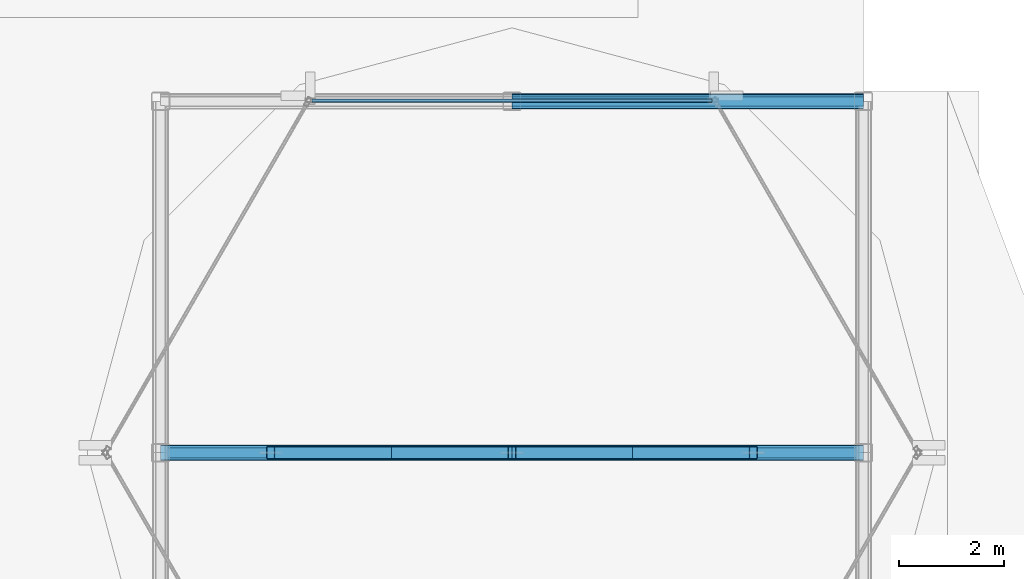
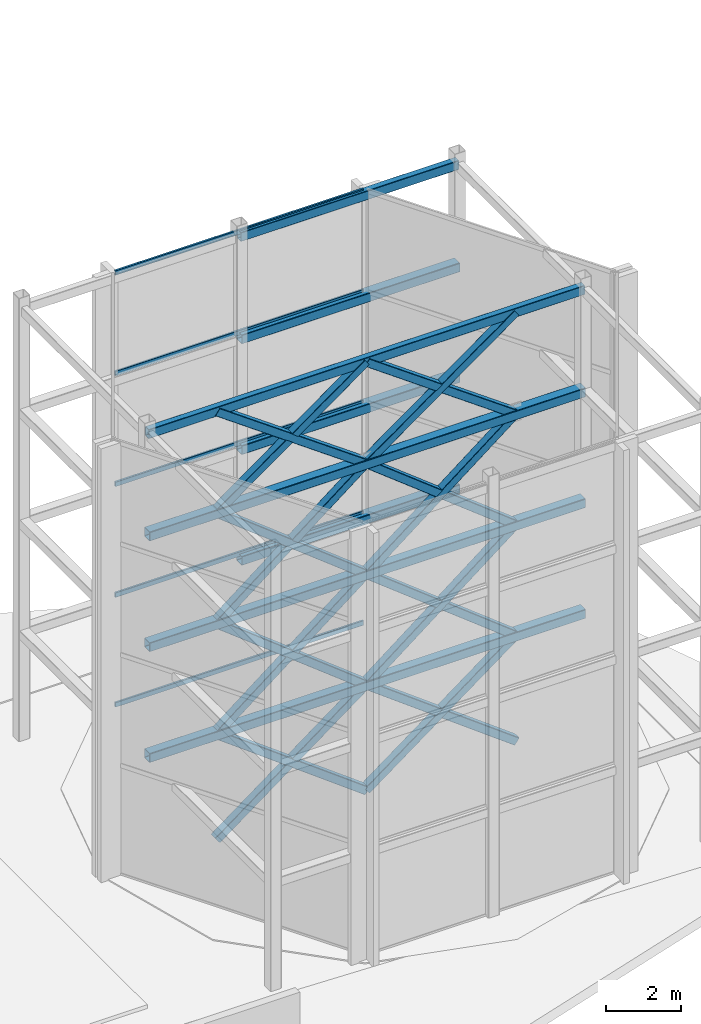
# One storey, part 8 of 24: 21 members, 8 beams, 1 element without a shape of its own.
"""IFC4 building model written with IfcOpenShell, lengths in metres."""

import ifcopenshell
import ifcopenshell.guid

model = None  # the IFC model being written
_history = None  # IfcOwnerHistory: only IFC2X3 demands one
_inside = {}  # id of a spatial element -> (the spatial element, [elements in it])
_under = {}  # id of a project, library or spatial element -> (it, [spatial elements below it])
_declared = {}  # id of a project -> (the project, [libraries it declares])
_typed = {}  # id of a type object -> (the type object, [elements of that type])
_made_of = {}  # id of a material, layer set ... -> (it, [elements and type objects made of it])


def new_model(schema):
    """Start an empty IFC model of exactly this schema.

    Asked for "IFC4X3", IfcOpenShell would pick the latest addendum, in which some entities
    have other attributes; the version numbers below select the first issue.
    IFC2X3 requires an IfcOwnerHistory on every rooted entity: one is made here for all.
    """
    global model, _history
    if schema == "IFC4X3":
        model = ifcopenshell.file(schema_version=(4, 3, 0, 0))
    else:
        model = ifcopenshell.file(schema=schema)
    _inside.clear()
    _under.clear()
    _declared.clear()
    _typed.clear()
    _made_of.clear()
    _history = None
    if model.schema == "IFC2X3":
        org = make("IfcOrganization", Name="unknown")
        user = make(
            "IfcPersonAndOrganization",
            ThePerson=make("IfcPerson", FamilyName="unknown"),
            TheOrganization=org,
        )
        app = make(
            "IfcApplication",
            ApplicationDeveloper=org,
            Version="unknown",
            ApplicationFullName="unknown",
            ApplicationIdentifier="unknown",
        )
        _history = make(
            "IfcOwnerHistory",
            OwningUser=user,
            OwningApplication=app,
            ChangeAction="ADDED",
            CreationDate=0,
        )
    return model


def make(cls, **values):
    """One entity of the class cls with the attributes given. An attribute that is None is left unset."""
    return model.create_entity(
        cls, **{name: value for name, value in values.items() if value is not None}
    )


def rooted(cls, **values):
    """An entity with a GlobalId (a new one), such as an element, a storey or a relation."""
    return make(cls, GlobalId=ifcopenshell.guid.new(), OwnerHistory=_history, **values)


def si_unit(unit_type, name, prefix=None):
    """IfcSIUnit, for example si_unit("LENGTHUNIT", "METRE", prefix="MILLI")."""
    return make("IfcSIUnit", UnitType=unit_type, Prefix=prefix, Name=name)


def assignment(units):
    """IfcUnitAssignment: the units of a project."""
    return None if units is None else make("IfcUnitAssignment", Units=units)


def point(xyz):
    """IfcCartesianPoint."""
    return None if xyz is None else make("IfcCartesianPoint", Coordinates=xyz)


def direction(xyz):
    """IfcDirection."""
    return None if xyz is None else make("IfcDirection", DirectionRatios=xyz)


def frame(location, z_axis=None, x_axis=None):
    """IfcAxis2Placement3D, a coordinate frame: its origin and axes. An axis left out is left unset."""
    return make(
        "IfcAxis2Placement3D",
        Location=point(location),
        Axis=direction(z_axis),
        RefDirection=direction(x_axis),
    )


def frame_2d(location, x_axis=None):
    """IfcAxis2Placement2D, a coordinate frame in the plane: its origin and x axis."""
    return make(
        "IfcAxis2Placement2D", Location=point(location), RefDirection=direction(x_axis)
    )


def origin():
    """The frame at (0, 0, 0) with its axes left unset."""
    return frame((0.0, 0.0, 0.0))


def origin_2d():
    """The frame at (0, 0) in the plane with its x axis left unset."""
    return frame_2d((0.0, 0.0))


def place(relative_to, where):
    """IfcLocalPlacement: puts the frame where relative to a parent placement (None: the world)."""
    return make(
        "IfcLocalPlacement", PlacementRelTo=relative_to, RelativePlacement=where
    )


def context(
    kind, dimensions, precision=None, world=None, true_north=None, identifier=None
):
    """IfcGeometricRepresentationContext, for example the 3D "Model" context."""
    return make(
        "IfcGeometricRepresentationContext",
        ContextIdentifier=identifier,
        ContextType=kind,
        CoordinateSpaceDimension=dimensions,
        Precision=precision,
        WorldCoordinateSystem=world,
        TrueNorth=true_north,
    )


def subcontext(parent, identifier, kind, view, scale=None):
    """IfcGeometricRepresentationSubContext, for example "Body" below "Model"."""
    return make(
        "IfcGeometricRepresentationSubContext",
        ContextIdentifier=identifier,
        ContextType=kind,
        ParentContext=parent,
        TargetScale=scale,
        TargetView=view,
    )


def project(units=None, contexts=None):
    """IfcProject with its units and contexts."""
    return rooted(
        "IfcProject",
        Name="project",
        RepresentationContexts=contexts,
        UnitsInContext=assignment(units),
    )


def spatial(cls, under=None, at=None, **own):
    """A site, building, storey or space (cls), placed at a placement, below another one or the project."""
    s = rooted(cls, ObjectPlacement=at, **own)
    if under is not None:
        _under.setdefault(under.id(), (under, []))[1].append(s)
    return s


def profile(cls, at=None, kind="AREA", **sizes):
    """A parametric profile (cls). Its sizes go by their IFC names, for example OverallWidth=200.0."""
    return make(cls, ProfileType=kind, Position=at, **sizes)


def hollow_rectangle(**sizes):
    """IfcRectangleHollowProfileDef."""
    return profile("IfcRectangleHollowProfileDef", **sizes)


def extrude(swept, where, along, depth):
    """IfcExtrudedAreaSolid: the profile swept, set in the frame where, extruded along a direction by depth."""
    return make(
        "IfcExtrudedAreaSolid",
        SweptArea=swept,
        Position=where,
        ExtrudedDirection=direction(along),
        Depth=depth,
    )


def shape(context_of_items, identifier, shape_type, items):
    """IfcShapeRepresentation: the items that make up one representation, for example the "Body"."""
    return make(
        "IfcShapeRepresentation",
        ContextOfItems=context_of_items,
        RepresentationIdentifier=identifier,
        RepresentationType=shape_type,
        Items=items,
    )


def material(Name=None, Category=None):
    """IfcMaterial."""
    return make("IfcMaterial", Name=Name, Category=Category)


def layer(
    of_material, thickness, ventilated=None, Name=None, Category=None, Priority=None
):
    """IfcMaterialLayer: one layer of a wall or slab, of a material (None: an air gap)."""
    return make(
        "IfcMaterialLayer",
        Material=of_material,
        LayerThickness=thickness,
        IsVentilated=ventilated,
        Name=Name,
        Category=Category,
        Priority=Priority,
    )


def layer_set(layers, Name=None):
    """IfcMaterialLayerSet."""
    return make("IfcMaterialLayerSet", MaterialLayers=layers, LayerSetName=Name)


def material_profile(
    of_material, cross_section, Name=None, Category=None, Priority=None
):
    """IfcMaterialProfile: a cross section and its material."""
    return make(
        "IfcMaterialProfile",
        Name=Name,
        Material=of_material,
        Profile=cross_section,
        Priority=Priority,
        Category=Category,
    )


def profile_set(profiles, Name=None, composite=None):
    """IfcMaterialProfileSet."""
    return make(
        "IfcMaterialProfileSet",
        Name=Name,
        MaterialProfiles=profiles,
        CompositeProfile=composite,
    )


def made_of(thing, what):
    """Note that an element or type object is made of a material, layer set ...; save() writes the relation."""
    if what is not None:
        _made_of.setdefault(what.id(), (what, []))[1].append(thing)
    return thing


def type_object(cls, material=None, **own):
    """A type object (cls), such as IfcWallType, which elements share."""
    return made_of(rooted(cls, **own), material)


def element(
    cls,
    number,
    at=None,
    inside=None,
    cuts=None,
    type_object=None,
    material=None,
    context=None,
    identifier="Body",
    shape_type=None,
    held_by="IfcProductDefinitionShape",
    body=None,
    shapes=None,
    **own,
):
    """One element of the class cls, such as IfcWall. Its Tag is "e" and its number.

    at: its placement. inside: the storey or other place that contains it. cuts: it is an
    opening in that element (IfcRelVoidsElement). A single representation is given by context,
    identifier, shape_type and body (its items); several are given by shapes. held_by: the class
    of the entity that holds the representations. save() writes the other relations.
    """
    e = rooted(cls, Tag="e%d" % number, ObjectPlacement=at, **own)
    if body is not None:
        shapes = [shape(context, identifier, shape_type, body)]
    if shapes is not None:
        e.Representation = make(held_by, Representations=shapes)
    if inside is not None:
        _inside.setdefault(inside.id(), (inside, []))[1].append(e)
    if cuts is not None:
        rooted(
            "IfcRelVoidsElement", RelatingBuildingElement=cuts, RelatedOpeningElement=e
        )
    if type_object is not None:
        _typed.setdefault(type_object.id(), (type_object, []))[1].append(e)
    return made_of(e, material)


def aggregate(whole, parts):
    """IfcRelAggregates: a whole, such as a stair, and the parts it consists of."""
    return rooted("IfcRelAggregates", RelatingObject=whole, RelatedObjects=parts)


def save(model, path):
    """Write the relations noted so far, then the file.

    IfcRelAggregates (storeys below a building ...), IfcRelContainedInSpatialStructure (elements
    in a storey), IfcRelDefinesByType, IfcRelAssociatesMaterial and IfcRelDeclares: one each for
    every whole, place, type object, material and project.
    """
    for whole, parts in _under.values():
        aggregate(whole, parts)
    for where, things in _inside.values():
        rooted(
            "IfcRelContainedInSpatialStructure",
            RelatedElements=things,
            RelatingStructure=where,
        )
    for kind, things in _typed.values():
        rooted("IfcRelDefinesByType", RelatedObjects=things, RelatingType=kind)
    for what, things in _made_of.values():
        rooted("IfcRelAssociatesMaterial", RelatedObjects=things, RelatingMaterial=what)
    for by, libraries in _declared.values():
        rooted("IfcRelDeclares", RelatingContext=by, RelatedDefinitions=libraries)
    model.write(path)


model = new_model("IFC4")

# Units and contexts
model_context = context("Model", 3, precision=1e-05, world=origin(), true_north=direction((0.0, 1.0)))
body_context = subcontext(model_context, "Body", "Model", "MODEL_VIEW")
ifc_project = project(units=[si_unit("LENGTHUNIT", "METRE"), si_unit("AREAUNIT", "SQUARE_METRE"), si_unit("VOLUMEUNIT", "CUBIC_METRE"), si_unit("PLANEANGLEUNIT", "RADIAN"), si_unit("MASSUNIT", "GRAM", prefix="KILO")], contexts=[model_context])

# Site, building, storey
site_placement = place(None, origin())
site = spatial("IfcSite", under=ifc_project, at=site_placement, CompositionType="ELEMENT")
building_placement = place(site_placement, origin())
building = spatial("IfcBuilding", under=site, at=building_placement, Name="Solvaryn Broadcast Tower", CompositionType="ELEMENT")
storey_placement = place(building_placement, frame((0.0, 0.0, 307.800048828125)))
storey = spatial("IfcBuildingStorey", under=building, at=storey_placement, Name="Roof Main", CompositionType="ELEMENT", Elevation=307.800048828125)

# Beams
ifc_material_1 = material(Name="Steel ASTM A500 Grade C", Category="steel")
ifc_material_profile_1 = material_profile(ifc_material_1, hollow_rectangle(XDim=0.199951171875, YDim=0.300048828125, WallThickness=0.011962890625, InnerFilletRadius=0.011962890625, OuterFilletRadius=0.02392578125, at=origin_2d()))
ifc_profile_set_1 = profile_set([ifc_material_profile_1], Name="Steel ASTM A500 Grade C")
beam_type_1 = type_object("IfcBeamType", Name="BM-CROWN-CAP", PredefinedType="BEAM", material=ifc_profile_set_1)
beam_1_placement = place(storey_placement, frame((42.800048828125, 24.60009765625, 13.949951171875), z_axis=(-1.0, 0.0, 0.0), x_axis=(0.0, -1.0, 0.0)))
element("IfcBeam", 1, at=beam_1_placement, inside=storey, type_object=beam_type_1, Name="Roof Main CROWN FRAME Ring Beam ET4-5", PredefinedType="BEAM", context=body_context, shape_type="SweptSolid", body=[
    extrude(hollow_rectangle(XDim=0.199951171875, YDim=0.300048828125, WallThickness=0.011962890625, InnerFilletRadius=0.011962890625, OuterFilletRadius=0.02392578125, at=origin_2d()), origin(), (0.0, 0.0, 1.0), 6.699951171875),
])
beam_2_placement = place(storey_placement, frame((29.39990234375, 17.89990234375, 13.949951171875), z_axis=(1.0, 0.0, 0.0), x_axis=(0.0, 1.0, 0.0)))
element("IfcBeam", 2, at=beam_2_placement, inside=storey, type_object=beam_type_1, Name="Roof Main CROWN FRAME Ring Beam ET4-9", PredefinedType="BEAM", context=body_context, shape_type="SweptSolid", body=[
    extrude(hollow_rectangle(XDim=0.199951171875, YDim=0.300048828125, WallThickness=0.011962890625, InnerFilletRadius=0.011962890625, OuterFilletRadius=0.02392578125, at=origin_2d()), origin(), (0.0, 0.0, 1.0), 13.400146484375),
])
ifc_material_2 = material(Name="Steel ASTM A500 Grade C", Category="steel")
ifc_material_profile_2 = material_profile(ifc_material_2, hollow_rectangle(XDim=0.300048828125, YDim=0.300048828125, WallThickness=0.01416015625, InnerFilletRadius=0.01416015625, OuterFilletRadius=0.0283203125, at=origin_2d()))
ifc_profile_set_2 = profile_set([ifc_material_profile_2], Name="Steel ASTM A500 Grade C")
beam_type_2 = type_object("IfcBeamType", Name="BM-CROWN-RING", PredefinedType="BEAM", material=ifc_profile_set_2)
beam_3_placement = place(storey_placement, frame((42.800048828125, 24.60009765625, 3.449951171875), z_axis=(-1.0, 0.0, 0.0), x_axis=(0.0, -1.0, 0.0)))
element("IfcBeam", 3, at=beam_3_placement, inside=storey, type_object=beam_type_2, Name="Roof Main CROWN FRAME Ring Beam ET1-5", PredefinedType="BEAM", context=body_context, shape_type="SweptSolid", body=[
    extrude(hollow_rectangle(XDim=0.300048828125, YDim=0.300048828125, WallThickness=0.01416015625, InnerFilletRadius=0.01416015625, OuterFilletRadius=0.0283203125, at=origin_2d()), origin(), (0.0, 0.0, 1.0), 6.699951171875),
])
beam_4_placement = place(storey_placement, frame((29.39990234375, 17.89990234375, 3.449951171875), z_axis=(1.0, 0.0, 0.0), x_axis=(0.0, 1.0, 0.0)))
element("IfcBeam", 4, at=beam_4_placement, inside=storey, type_object=beam_type_2, Name="Roof Main CROWN FRAME Ring Beam ET1-9", PredefinedType="BEAM", context=body_context, shape_type="SweptSolid", body=[
    extrude(hollow_rectangle(XDim=0.300048828125, YDim=0.300048828125, WallThickness=0.01416015625, InnerFilletRadius=0.01416015625, OuterFilletRadius=0.0283203125, at=origin_2d()), origin(), (0.0, 0.0, 1.0), 13.400146484375),
])
beam_5_placement = place(storey_placement, frame((42.800048828125, 24.60009765625, 7.050048828125), z_axis=(-1.0, 0.0, 0.0), x_axis=(0.0, -1.0, 0.0)))
element("IfcBeam", 5, at=beam_5_placement, inside=storey, type_object=beam_type_2, Name="Roof Main CROWN FRAME Ring Beam ET2-5", PredefinedType="BEAM", context=body_context, shape_type="SweptSolid", body=[
    extrude(hollow_rectangle(XDim=0.300048828125, YDim=0.300048828125, WallThickness=0.01416015625, InnerFilletRadius=0.01416015625, OuterFilletRadius=0.0283203125, at=origin_2d()), origin(), (0.0, 0.0, 1.0), 6.699951171875),
])
beam_6_placement = place(storey_placement, frame((29.39990234375, 17.89990234375, 7.050048828125), z_axis=(1.0, 0.0, 0.0), x_axis=(0.0, 1.0, 0.0)))
element("IfcBeam", 6, at=beam_6_placement, inside=storey, type_object=beam_type_2, Name="Roof Main CROWN FRAME Ring Beam ET2-9", PredefinedType="BEAM", context=body_context, shape_type="SweptSolid", body=[
    extrude(hollow_rectangle(XDim=0.300048828125, YDim=0.300048828125, WallThickness=0.01416015625, InnerFilletRadius=0.01416015625, OuterFilletRadius=0.0283203125, at=origin_2d()), origin(), (0.0, 0.0, 1.0), 13.400146484375),
])
beam_7_placement = place(storey_placement, frame((42.800048828125, 24.60009765625, 10.64990234375), z_axis=(-1.0, 0.0, 0.0), x_axis=(0.0, -1.0, 0.0)))
element("IfcBeam", 7, at=beam_7_placement, inside=storey, type_object=beam_type_2, Name="Roof Main CROWN FRAME Ring Beam ET3-5", PredefinedType="BEAM", context=body_context, shape_type="SweptSolid", body=[
    extrude(hollow_rectangle(XDim=0.300048828125, YDim=0.300048828125, WallThickness=0.01416015625, InnerFilletRadius=0.01416015625, OuterFilletRadius=0.0283203125, at=origin_2d()), origin(), (0.0, 0.0, 1.0), 6.699951171875),
])
beam_8_placement = place(storey_placement, frame((29.39990234375, 17.89990234375, 10.64990234375), z_axis=(1.0, 0.0, 0.0), x_axis=(0.0, 1.0, 0.0)))
element("IfcBeam", 8, at=beam_8_placement, inside=storey, type_object=beam_type_2, Name="Roof Main CROWN FRAME Ring Beam ET3-9", PredefinedType="BEAM", context=body_context, shape_type="SweptSolid", body=[
    extrude(hollow_rectangle(XDim=0.300048828125, YDim=0.300048828125, WallThickness=0.01416015625, InnerFilletRadius=0.01416015625, OuterFilletRadius=0.0283203125, at=origin_2d()), origin(), (0.0, 0.0, 1.0), 13.400146484375),
])

# Curtain wall, members
ifc_material_3 = material(Name="Aluminium and Terracotta Unitised Curtain Wall", Category="masonry")
ifc_layer = layer(ifc_material_3, 0.2099609375)
ifc_layer_set = layer_set([ifc_layer], Name="CW-SYS6-CROWN")
curtain_wall_type = type_object("IfcCurtainWallType", Name="CW-SYS6-CROWN", PredefinedType="NOTDEFINED", material=ifc_layer_set)
curtain_wall_placement = place(storey_placement, origin())
curtain_wall = element("IfcCurtainWall", 9, at=curtain_wall_placement, inside=storey, type_object=curtain_wall_type, Name="Roof Main Split-Top Crown Curtain Wall E2", PredefinedType="NOTDEFINED")
ifc_material_4 = material(Name="Anodised Aluminium 6063-T6", Category="aluminium")
ifc_material_profile_3 = material_profile(ifc_material_4, hollow_rectangle(XDim=0.06494140625, YDim=0.14990234375, WallThickness=0.00390625, InnerFilletRadius=0.00390625, OuterFilletRadius=0.008056640625, at=origin_2d()))
ifc_profile_set_3 = profile_set([ifc_material_profile_3], Name="Anodised Aluminium 6063-T6")
member_type_1 = type_object("IfcMemberType", Name="CW-TRN-150", PredefinedType="USERDEFINED", material=ifc_profile_set_3)
member_1_placement = place(storey_placement, frame((39.9150390625, 24.612060546875, 0.030029296875), z_axis=(-1.0, 0.0, 0.0), x_axis=(0.0, -1.0, 0.0)))
member_1 = element("IfcMember", 10, at=member_1_placement, type_object=member_type_1, Name="CWS6 transom 1.1", ObjectType="TRANSOM", PredefinedType="USERDEFINED", context=body_context, shape_type="SweptSolid", body=[
    extrude(hollow_rectangle(XDim=0.06494140625, YDim=0.14990234375, WallThickness=0.00390625, InnerFilletRadius=0.00390625, OuterFilletRadius=0.008056640625, at=origin_2d()), origin(), (0.0, 0.0, 1.0), 7.630126953125),
])
member_2_placement = place(storey_placement, frame((39.9150390625, 24.612060546875, 3.599853515625), z_axis=(-1.0, 0.0, 0.0), x_axis=(0.0, -1.0, 0.0)))
member_2 = element("IfcMember", 11, at=member_2_placement, type_object=member_type_1, Name="CWS6 transom 1.2", ObjectType="TRANSOM", PredefinedType="USERDEFINED", context=body_context, shape_type="SweptSolid", body=[
    extrude(hollow_rectangle(XDim=0.06494140625, YDim=0.14990234375, WallThickness=0.00390625, InnerFilletRadius=0.00390625, OuterFilletRadius=0.008056640625, at=origin_2d()), origin(), (0.0, 0.0, 1.0), 7.630126953125),
])
member_3_placement = place(storey_placement, frame((39.9150390625, 24.612060546875, 7.199951171875), z_axis=(-1.0, 0.0, 0.0), x_axis=(0.0, -1.0, 0.0)))
member_3 = element("IfcMember", 12, at=member_3_placement, type_object=member_type_1, Name="CWS6 transom 1.3", ObjectType="TRANSOM", PredefinedType="USERDEFINED", context=body_context, shape_type="SweptSolid", body=[
    extrude(hollow_rectangle(XDim=0.06494140625, YDim=0.14990234375, WallThickness=0.00390625, InnerFilletRadius=0.00390625, OuterFilletRadius=0.008056640625, at=origin_2d()), origin(), (0.0, 0.0, 1.0), 7.630126953125),
])
member_4_placement = place(storey_placement, frame((39.9150390625, 24.612060546875, 10.800048828125), z_axis=(-1.0, 0.0, 0.0), x_axis=(0.0, -1.0, 0.0)))
member_4 = element("IfcMember", 13, at=member_4_placement, type_object=member_type_1, Name="CWS6 transom 1.4", ObjectType="TRANSOM", PredefinedType="USERDEFINED", context=body_context, shape_type="SweptSolid", body=[
    extrude(hollow_rectangle(XDim=0.06494140625, YDim=0.14990234375, WallThickness=0.00390625, InnerFilletRadius=0.00390625, OuterFilletRadius=0.008056640625, at=origin_2d()), origin(), (0.0, 0.0, 1.0), 7.630126953125),
])
member_5_placement = place(storey_placement, frame((39.9150390625, 24.612060546875, 14.070068359375), z_axis=(-1.0, 0.0, 0.0), x_axis=(0.0, -1.0, 0.0)))
member_5 = element("IfcMember", 14, at=member_5_placement, type_object=member_type_1, Name="CWS6 transom 1.5", ObjectType="TRANSOM", PredefinedType="USERDEFINED", context=body_context, shape_type="SweptSolid", body=[
    extrude(hollow_rectangle(XDim=0.06494140625, YDim=0.14990234375, WallThickness=0.00390625, InnerFilletRadius=0.00390625, OuterFilletRadius=0.008056640625, at=origin_2d()), origin(), (0.0, 0.0, 1.0), 7.630126953125),
])
aggregate(curtain_wall, [member_1, member_2, member_3, member_4, member_5])

# Members
ifc_material_5 = material(Name="Steel ASTM A500 Grade C", Category="steel")
ifc_material_profile_4 = material_profile(ifc_material_5, hollow_rectangle(XDim=0.25, YDim=0.25, WallThickness=0.011962890625, InnerFilletRadius=0.011962890625, OuterFilletRadius=0.02392578125, at=origin_2d()))
ifc_profile_set_4 = profile_set([ifc_material_profile_4], Name="Steel ASTM A500 Grade C")
member_type_2 = type_object("IfcMemberType", Name="MB-CROWN-BRACE", PredefinedType="BRACE", material=ifc_profile_set_4)
member_6_placement = place(storey_placement, frame((31.5, 17.89990234375, 0.02001953125), z_axis=(0.801681730378, 0.0, 0.597751121435), x_axis=(0.0, 1.0, 0.0)))
element("IfcMember", 15, at=member_6_placement, inside=storey, type_object=member_type_2, Name="Roof Main CROWN FRAME Brace ET1-1", PredefinedType="BRACE", context=body_context, shape_type="SweptSolid", body=[
    extrude(hollow_rectangle(XDim=0.25, YDim=0.25, WallThickness=0.011962890625, InnerFilletRadius=0.011962890625, OuterFilletRadius=0.02392578125, at=origin_2d()), origin(), (0.0, 0.0, 1.0), 5.738037109375),
])
member_7_placement = place(storey_placement, frame((40.699951171875, 17.89990234375, 0.02001953125), z_axis=(-0.801666527074, 0.0, 0.597771511006), x_axis=(0.0, -1.0, 0.0)))
element("IfcMember", 16, at=member_7_placement, inside=storey, type_object=member_type_2, Name="Roof Main CROWN FRAME Brace ET1-2", PredefinedType="BRACE", context=body_context, shape_type="SweptSolid", body=[
    extrude(hollow_rectangle(XDim=0.25, YDim=0.25, WallThickness=0.011962890625, InnerFilletRadius=0.011962890625, OuterFilletRadius=0.02392578125, at=origin_2d()), origin(), (0.0, 0.0, 1.0), 5.73779296875),
])
member_8_placement = place(storey_placement, frame((36.10009765625, 17.89990234375, 0.02001953125), z_axis=(-0.801681730378, 0.0, 0.597751121435), x_axis=(0.0, -1.0, 0.0)))
element("IfcMember", 17, at=member_8_placement, inside=storey, type_object=member_type_2, Name="Roof Main CROWN FRAME Brace ET1-3", PredefinedType="BRACE", context=body_context, shape_type="SweptSolid", body=[
    extrude(hollow_rectangle(XDim=0.25, YDim=0.25, WallThickness=0.011962890625, InnerFilletRadius=0.011962890625, OuterFilletRadius=0.02392578125, at=origin_2d()), origin(), (0.0, 0.0, 1.0), 5.738037109375),
])
member_9_placement = place(storey_placement, frame((36.10009765625, 17.89990234375, 0.02001953125), z_axis=(0.801666527074, 0.0, 0.597771511006), x_axis=(0.0, 1.0, 0.0)))
element("IfcMember", 18, at=member_9_placement, inside=storey, type_object=member_type_2, Name="Roof Main CROWN FRAME Brace ET1-4", PredefinedType="BRACE", context=body_context, shape_type="SweptSolid", body=[
    extrude(hollow_rectangle(XDim=0.25, YDim=0.25, WallThickness=0.011962890625, InnerFilletRadius=0.011962890625, OuterFilletRadius=0.02392578125, at=origin_2d()), origin(), (0.0, 0.0, 1.0), 5.73779296875),
])
member_10_placement = place(storey_placement, frame((31.5, 17.89990234375, 3.449951171875), z_axis=(0.787503237085, 0.0, 0.616310515553), x_axis=(0.0, 1.0, 0.0)))
element("IfcMember", 19, at=member_10_placement, inside=storey, type_object=member_type_2, Name="Roof Main CROWN FRAME Brace ET2-1", PredefinedType="BRACE", context=body_context, shape_type="SweptSolid", body=[
    extrude(hollow_rectangle(XDim=0.25, YDim=0.25, WallThickness=0.011962890625, InnerFilletRadius=0.011962890625, OuterFilletRadius=0.02392578125, at=origin_2d()), origin(), (0.0, 0.0, 1.0), 5.84130859375),
])
member_11_placement = place(storey_placement, frame((40.699951171875, 17.89990234375, 3.449951171875), z_axis=(-0.787487360907, 0.0, 0.616330801122), x_axis=(0.0, -1.0, 0.0)))
element("IfcMember", 20, at=member_11_placement, inside=storey, type_object=member_type_2, Name="Roof Main CROWN FRAME Brace ET2-2", PredefinedType="BRACE", context=body_context, shape_type="SweptSolid", body=[
    extrude(hollow_rectangle(XDim=0.25, YDim=0.25, WallThickness=0.011962890625, InnerFilletRadius=0.011962890625, OuterFilletRadius=0.02392578125, at=origin_2d()), origin(), (0.0, 0.0, 1.0), 5.841064453125),
])
member_12_placement = place(storey_placement, frame((36.10009765625, 17.89990234375, 3.449951171875), z_axis=(-0.787503237085, 0.0, 0.616310515553), x_axis=(0.0, -1.0, 0.0)))
element("IfcMember", 21, at=member_12_placement, inside=storey, type_object=member_type_2, Name="Roof Main CROWN FRAME Brace ET2-3", PredefinedType="BRACE", context=body_context, shape_type="SweptSolid", body=[
    extrude(hollow_rectangle(XDim=0.25, YDim=0.25, WallThickness=0.011962890625, InnerFilletRadius=0.011962890625, OuterFilletRadius=0.02392578125, at=origin_2d()), origin(), (0.0, 0.0, 1.0), 5.84130859375),
])
member_13_placement = place(storey_placement, frame((36.10009765625, 17.89990234375, 3.449951171875), z_axis=(0.787487360907, 0.0, 0.616330801122), x_axis=(0.0, 1.0, 0.0)))
element("IfcMember", 22, at=member_13_placement, inside=storey, type_object=member_type_2, Name="Roof Main CROWN FRAME Brace ET2-4", PredefinedType="BRACE", context=body_context, shape_type="SweptSolid", body=[
    extrude(hollow_rectangle(XDim=0.25, YDim=0.25, WallThickness=0.011962890625, InnerFilletRadius=0.011962890625, OuterFilletRadius=0.02392578125, at=origin_2d()), origin(), (0.0, 0.0, 1.0), 5.841064453125),
])
member_14_placement = place(storey_placement, frame((31.5, 17.89990234375, 7.050048828125), z_axis=(0.787523522286, 0.0, 0.616284594847), x_axis=(0.0, 1.0, 0.0)))
element("IfcMember", 23, at=member_14_placement, inside=storey, type_object=member_type_2, Name="Roof Main CROWN FRAME Brace ET3-1", PredefinedType="BRACE", context=body_context, shape_type="SweptSolid", body=[
    extrude(hollow_rectangle(XDim=0.25, YDim=0.25, WallThickness=0.011962890625, InnerFilletRadius=0.011962890625, OuterFilletRadius=0.02392578125, at=origin_2d()), origin(), (0.0, 0.0, 1.0), 5.84130859375),
])
member_15_placement = place(storey_placement, frame((40.699951171875, 17.89990234375, 7.050048828125), z_axis=(-0.787507647035, 0.0, 0.616304880608), x_axis=(0.0, -1.0, 0.0)))
element("IfcMember", 24, at=member_15_placement, inside=storey, type_object=member_type_2, Name="Roof Main CROWN FRAME Brace ET3-2", PredefinedType="BRACE", context=body_context, shape_type="SweptSolid", body=[
    extrude(hollow_rectangle(XDim=0.25, YDim=0.25, WallThickness=0.011962890625, InnerFilletRadius=0.011962890625, OuterFilletRadius=0.02392578125, at=origin_2d()), origin(), (0.0, 0.0, 1.0), 5.841064453125),
])
member_16_placement = place(storey_placement, frame((36.10009765625, 17.89990234375, 7.050048828125), z_axis=(-0.787523522286, 0.0, 0.616284594847), x_axis=(0.0, -1.0, 0.0)))
element("IfcMember", 25, at=member_16_placement, inside=storey, type_object=member_type_2, Name="Roof Main CROWN FRAME Brace ET3-3", PredefinedType="BRACE", context=body_context, shape_type="SweptSolid", body=[
    extrude(hollow_rectangle(XDim=0.25, YDim=0.25, WallThickness=0.011962890625, InnerFilletRadius=0.011962890625, OuterFilletRadius=0.02392578125, at=origin_2d()), origin(), (0.0, 0.0, 1.0), 5.84130859375),
])
member_17_placement = place(storey_placement, frame((36.10009765625, 17.89990234375, 7.050048828125), z_axis=(0.787507647035, 0.0, 0.616304880608), x_axis=(0.0, 1.0, 0.0)))
element("IfcMember", 26, at=member_17_placement, inside=storey, type_object=member_type_2, Name="Roof Main CROWN FRAME Brace ET3-4", PredefinedType="BRACE", context=body_context, shape_type="SweptSolid", body=[
    extrude(hollow_rectangle(XDim=0.25, YDim=0.25, WallThickness=0.011962890625, InnerFilletRadius=0.011962890625, OuterFilletRadius=0.02392578125, at=origin_2d()), origin(), (0.0, 0.0, 1.0), 5.841064453125),
])
member_18_placement = place(storey_placement, frame((31.5, 17.89990234375, 10.64990234375), z_axis=(0.812540026711, 0.0, 0.582905399695), x_axis=(0.0, 1.0, 0.0)))
element("IfcMember", 27, at=member_18_placement, inside=storey, type_object=member_type_2, Name="Roof Main CROWN FRAME Brace ET4-1", PredefinedType="BRACE", context=body_context, shape_type="SweptSolid", body=[
    extrude(hollow_rectangle(XDim=0.25, YDim=0.25, WallThickness=0.011962890625, InnerFilletRadius=0.011962890625, OuterFilletRadius=0.02392578125, at=origin_2d()), origin(), (0.0, 0.0, 1.0), 5.661376953125),
])
member_19_placement = place(storey_placement, frame((40.699951171875, 17.89990234375, 10.64990234375), z_axis=(-0.812525373366, 0.0, 0.582925825158), x_axis=(0.0, -1.0, 0.0)))
element("IfcMember", 28, at=member_19_placement, inside=storey, type_object=member_type_2, Name="Roof Main CROWN FRAME Brace ET4-2", PredefinedType="BRACE", context=body_context, shape_type="SweptSolid", body=[
    extrude(hollow_rectangle(XDim=0.25, YDim=0.25, WallThickness=0.011962890625, InnerFilletRadius=0.011962890625, OuterFilletRadius=0.02392578125, at=origin_2d()), origin(), (0.0, 0.0, 1.0), 5.6611328125),
])
member_20_placement = place(storey_placement, frame((36.10009765625, 17.89990234375, 10.64990234375), z_axis=(-0.812540026711, 0.0, 0.582905399695), x_axis=(0.0, -1.0, 0.0)))
element("IfcMember", 29, at=member_20_placement, inside=storey, type_object=member_type_2, Name="Roof Main CROWN FRAME Brace ET4-3", PredefinedType="BRACE", context=body_context, shape_type="SweptSolid", body=[
    extrude(hollow_rectangle(XDim=0.25, YDim=0.25, WallThickness=0.011962890625, InnerFilletRadius=0.011962890625, OuterFilletRadius=0.02392578125, at=origin_2d()), origin(), (0.0, 0.0, 1.0), 5.661376953125),
])
member_21_placement = place(storey_placement, frame((36.10009765625, 17.89990234375, 10.64990234375), z_axis=(0.812525373366, 0.0, 0.582925825158), x_axis=(0.0, 1.0, 0.0)))
element("IfcMember", 30, at=member_21_placement, inside=storey, type_object=member_type_2, Name="Roof Main CROWN FRAME Brace ET4-4", PredefinedType="BRACE", context=body_context, shape_type="SweptSolid", body=[
    extrude(hollow_rectangle(XDim=0.25, YDim=0.25, WallThickness=0.011962890625, InnerFilletRadius=0.011962890625, OuterFilletRadius=0.02392578125, at=origin_2d()), origin(), (0.0, 0.0, 1.0), 5.6611328125),
])

save(model, "model.ifc")
